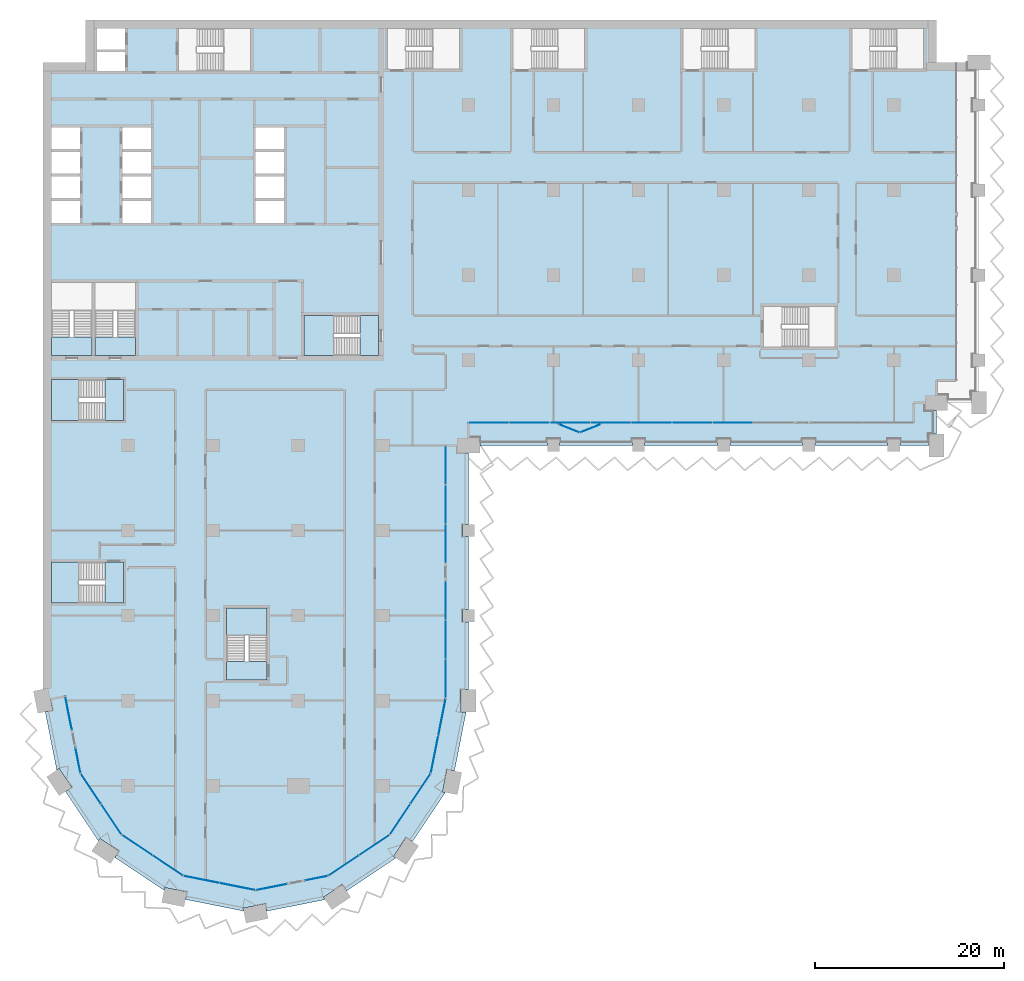
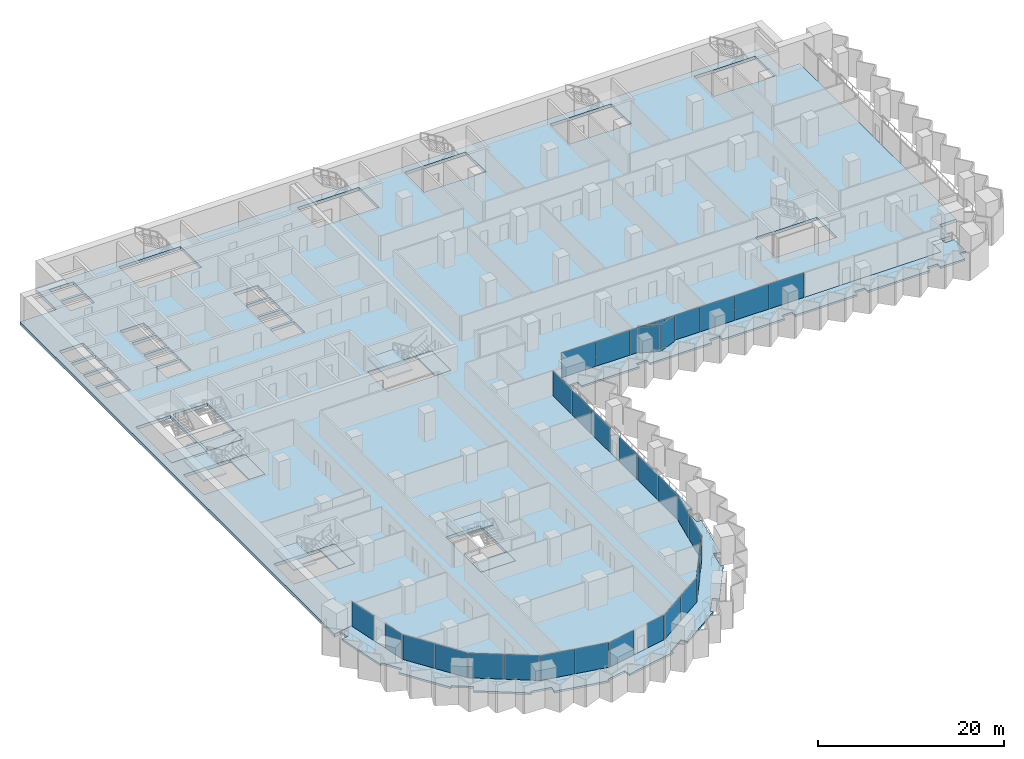
# One storey, part 8 of 28: 31 plates, 13 slabs, 19 elements without a shape of their own.
"""IFC4 building model written with IfcOpenShell, lengths in metres."""

import ifcopenshell
import ifcopenshell.guid

model = None  # the IFC model being written
_history = None  # IfcOwnerHistory: only IFC2X3 demands one
_inside = {}  # id of a spatial element -> (the spatial element, [elements in it])
_under = {}  # id of a project, library or spatial element -> (it, [spatial elements below it])
_declared = {}  # id of a project -> (the project, [libraries it declares])
_typed = {}  # id of a type object -> (the type object, [elements of that type])
_made_of = {}  # id of a material, layer set ... -> (it, [elements and type objects made of it])


def new_model(schema):
    """Start an empty IFC model of exactly this schema.

    Asked for "IFC4X3", IfcOpenShell would pick the latest addendum, in which some entities
    have other attributes; the version numbers below select the first issue.
    IFC2X3 requires an IfcOwnerHistory on every rooted entity: one is made here for all.
    """
    global model, _history
    if schema == "IFC4X3":
        model = ifcopenshell.file(schema_version=(4, 3, 0, 0))
    else:
        model = ifcopenshell.file(schema=schema)
    _inside.clear()
    _under.clear()
    _declared.clear()
    _typed.clear()
    _made_of.clear()
    _history = None
    if model.schema == "IFC2X3":
        org = make("IfcOrganization", Name="unknown")
        user = make(
            "IfcPersonAndOrganization",
            ThePerson=make("IfcPerson", FamilyName="unknown"),
            TheOrganization=org,
        )
        app = make(
            "IfcApplication",
            ApplicationDeveloper=org,
            Version="unknown",
            ApplicationFullName="unknown",
            ApplicationIdentifier="unknown",
        )
        _history = make(
            "IfcOwnerHistory",
            OwningUser=user,
            OwningApplication=app,
            ChangeAction="ADDED",
            CreationDate=0,
        )
    return model


def make(cls, **values):
    """One entity of the class cls with the attributes given. An attribute that is None is left unset."""
    return model.create_entity(
        cls, **{name: value for name, value in values.items() if value is not None}
    )


def rooted(cls, **values):
    """An entity with a GlobalId (a new one), such as an element, a storey or a relation."""
    return make(cls, GlobalId=ifcopenshell.guid.new(), OwnerHistory=_history, **values)


def si_unit(unit_type, name, prefix=None):
    """IfcSIUnit, for example si_unit("LENGTHUNIT", "METRE", prefix="MILLI")."""
    return make("IfcSIUnit", UnitType=unit_type, Prefix=prefix, Name=name)


def assignment(units):
    """IfcUnitAssignment: the units of a project."""
    return None if units is None else make("IfcUnitAssignment", Units=units)


def point(xyz):
    """IfcCartesianPoint."""
    return None if xyz is None else make("IfcCartesianPoint", Coordinates=xyz)


def direction(xyz):
    """IfcDirection."""
    return None if xyz is None else make("IfcDirection", DirectionRatios=xyz)


def frame(location, z_axis=None, x_axis=None):
    """IfcAxis2Placement3D, a coordinate frame: its origin and axes. An axis left out is left unset."""
    return make(
        "IfcAxis2Placement3D",
        Location=point(location),
        Axis=direction(z_axis),
        RefDirection=direction(x_axis),
    )


def frame_2d(location, x_axis=None):
    """IfcAxis2Placement2D, a coordinate frame in the plane: its origin and x axis."""
    return make(
        "IfcAxis2Placement2D", Location=point(location), RefDirection=direction(x_axis)
    )


def origin():
    """The frame at (0, 0, 0) with its axes left unset."""
    return frame((0.0, 0.0, 0.0))


def origin_2d():
    """The frame at (0, 0) in the plane with its x axis left unset."""
    return frame_2d((0.0, 0.0))


def place(relative_to, where):
    """IfcLocalPlacement: puts the frame where relative to a parent placement (None: the world)."""
    return make(
        "IfcLocalPlacement", PlacementRelTo=relative_to, RelativePlacement=where
    )


def context(
    kind, dimensions, precision=None, world=None, true_north=None, identifier=None
):
    """IfcGeometricRepresentationContext, for example the 3D "Model" context."""
    return make(
        "IfcGeometricRepresentationContext",
        ContextIdentifier=identifier,
        ContextType=kind,
        CoordinateSpaceDimension=dimensions,
        Precision=precision,
        WorldCoordinateSystem=world,
        TrueNorth=true_north,
    )


def subcontext(parent, identifier, kind, view, scale=None):
    """IfcGeometricRepresentationSubContext, for example "Body" below "Model"."""
    return make(
        "IfcGeometricRepresentationSubContext",
        ContextIdentifier=identifier,
        ContextType=kind,
        ParentContext=parent,
        TargetScale=scale,
        TargetView=view,
    )


def project(units=None, contexts=None):
    """IfcProject with its units and contexts."""
    return rooted(
        "IfcProject",
        Name="project",
        RepresentationContexts=contexts,
        UnitsInContext=assignment(units),
    )


def spatial(cls, under=None, at=None, **own):
    """A site, building, storey or space (cls), placed at a placement, below another one or the project."""
    s = rooted(cls, ObjectPlacement=at, **own)
    if under is not None:
        _under.setdefault(under.id(), (under, []))[1].append(s)
    return s


def polyline(points):
    """IfcPolyline through the points."""
    return make("IfcPolyline", Points=[point(p) for p in points])


def profile(cls, at=None, kind="AREA", **sizes):
    """A parametric profile (cls). Its sizes go by their IFC names, for example OverallWidth=200.0."""
    return make(cls, ProfileType=kind, Position=at, **sizes)


def rectangle(**sizes):
    """IfcRectangleProfileDef."""
    return profile("IfcRectangleProfileDef", **sizes)


def outline(outer, holes=None, kind="AREA"):
    """IfcArbitraryClosedProfileDef: a profile drawn as a closed curve; with holes, ...WithVoids."""
    if holes is None:
        return make("IfcArbitraryClosedProfileDef", ProfileType=kind, OuterCurve=outer)
    return make(
        "IfcArbitraryProfileDefWithVoids",
        ProfileType=kind,
        OuterCurve=outer,
        InnerCurves=holes,
    )


def extrude(swept, where, along, depth):
    """IfcExtrudedAreaSolid: the profile swept, set in the frame where, extruded along a direction by depth."""
    return make(
        "IfcExtrudedAreaSolid",
        SweptArea=swept,
        Position=where,
        ExtrudedDirection=direction(along),
        Depth=depth,
    )


def shape(context_of_items, identifier, shape_type, items):
    """IfcShapeRepresentation: the items that make up one representation, for example the "Body"."""
    return make(
        "IfcShapeRepresentation",
        ContextOfItems=context_of_items,
        RepresentationIdentifier=identifier,
        RepresentationType=shape_type,
        Items=items,
    )


def material(Name=None, Category=None):
    """IfcMaterial."""
    return make("IfcMaterial", Name=Name, Category=Category)


def layer(
    of_material, thickness, ventilated=None, Name=None, Category=None, Priority=None
):
    """IfcMaterialLayer: one layer of a wall or slab, of a material (None: an air gap)."""
    return make(
        "IfcMaterialLayer",
        Material=of_material,
        LayerThickness=thickness,
        IsVentilated=ventilated,
        Name=Name,
        Category=Category,
        Priority=Priority,
    )


def layer_set(layers, Name=None):
    """IfcMaterialLayerSet."""
    return make("IfcMaterialLayerSet", MaterialLayers=layers, LayerSetName=Name)


def made_of(thing, what):
    """Note that an element or type object is made of a material, layer set ...; save() writes the relation."""
    if what is not None:
        _made_of.setdefault(what.id(), (what, []))[1].append(thing)
    return thing


def type_object(cls, material=None, **own):
    """A type object (cls), such as IfcWallType, which elements share."""
    return made_of(rooted(cls, **own), material)


def element(
    cls,
    number,
    at=None,
    inside=None,
    cuts=None,
    type_object=None,
    material=None,
    context=None,
    identifier="Body",
    shape_type=None,
    held_by="IfcProductDefinitionShape",
    body=None,
    shapes=None,
    **own,
):
    """One element of the class cls, such as IfcWall. Its Tag is "e" and its number.

    at: its placement. inside: the storey or other place that contains it. cuts: it is an
    opening in that element (IfcRelVoidsElement). A single representation is given by context,
    identifier, shape_type and body (its items); several are given by shapes. held_by: the class
    of the entity that holds the representations. save() writes the other relations.
    """
    e = rooted(cls, Tag="e%d" % number, ObjectPlacement=at, **own)
    if body is not None:
        shapes = [shape(context, identifier, shape_type, body)]
    if shapes is not None:
        e.Representation = make(held_by, Representations=shapes)
    if inside is not None:
        _inside.setdefault(inside.id(), (inside, []))[1].append(e)
    if cuts is not None:
        rooted(
            "IfcRelVoidsElement", RelatingBuildingElement=cuts, RelatedOpeningElement=e
        )
    if type_object is not None:
        _typed.setdefault(type_object.id(), (type_object, []))[1].append(e)
    return made_of(e, material)


def aggregate(whole, parts):
    """IfcRelAggregates: a whole, such as a stair, and the parts it consists of."""
    return rooted("IfcRelAggregates", RelatingObject=whole, RelatedObjects=parts)


def save(model, path):
    """Write the relations noted so far, then the file.

    IfcRelAggregates (storeys below a building ...), IfcRelContainedInSpatialStructure (elements
    in a storey), IfcRelDefinesByType, IfcRelAssociatesMaterial and IfcRelDeclares: one each for
    every whole, place, type object, material and project.
    """
    for whole, parts in _under.values():
        aggregate(whole, parts)
    for where, things in _inside.values():
        rooted(
            "IfcRelContainedInSpatialStructure",
            RelatedElements=things,
            RelatingStructure=where,
        )
    for kind, things in _typed.values():
        rooted("IfcRelDefinesByType", RelatedObjects=things, RelatingType=kind)
    for what, things in _made_of.values():
        rooted("IfcRelAssociatesMaterial", RelatedObjects=things, RelatingMaterial=what)
    for by, libraries in _declared.values():
        rooted("IfcRelDeclares", RelatingContext=by, RelatedDefinitions=libraries)
    model.write(path)


model = new_model("IFC4")

# Units and contexts
model_context = context("Model", 3, precision=1e-05, world=origin(), true_north=direction((0.0, 1.0)))
body_context = subcontext(model_context, "Body", "Model", "MODEL_VIEW")
ifc_project = project(units=[si_unit("LENGTHUNIT", "METRE"), si_unit("AREAUNIT", "SQUARE_METRE"), si_unit("VOLUMEUNIT", "CUBIC_METRE"), si_unit("PLANEANGLEUNIT", "RADIAN"), si_unit("MASSUNIT", "GRAM", prefix="KILO")], contexts=[model_context])

# Site, building, storey
site_placement = place(None, origin())
site = spatial("IfcSite", under=ifc_project, at=site_placement, CompositionType="ELEMENT")
building_placement = place(site_placement, origin())
building = spatial("IfcBuilding", under=site, at=building_placement, Name="Hunhe Ridgeline Campus", CompositionType="ELEMENT")
storey_placement = place(building_placement, frame((0.0, 0.0, 35.800048828125)))
storey = spatial("IfcBuildingStorey", under=building, at=storey_placement, Name="L07", CompositionType="ELEMENT", Elevation=35.800048828125)

# Curtain wall, plate
ifc_material_1 = material(Name="Aluminium 6063", Category="aluminium")
curtain_wall_type_1 = type_object("IfcCurtainWallType", Name="Curtain wall CW-5", PredefinedType="NOTDEFINED", material=ifc_material_1)
curtain_wall_1_placement = place(storey_placement, origin())
curtain_wall_1 = element("IfcCurtainWall", 1, at=curtain_wall_1_placement, inside=storey, type_object=curtain_wall_type_1, Name="Curtain wall 01", PredefinedType="NOTDEFINED")
ifc_material_2 = material(Name="Low-e laminated glass", Category="glass")
ifc_layer_1 = layer(ifc_material_2, 0.028076171875)
ifc_layer_set_1 = layer_set([ifc_layer_1], Name="Curtain wall glass panel 28 low-e laminated")
plate_type = type_object("IfcPlateType", Name="Curtain wall glass panel 28 low-e laminated", PredefinedType="CURTAIN_PANEL", material=ifc_layer_set_1)
plate_1_placement = place(storey_placement, frame((2.7158203125, 25.65380859375, 0.0), z_axis=(0.0, 0.0, 1.0), x_axis=(0.195095326561, -0.980784284924, 0.0)))
plate_1 = element("IfcPlate", 2, at=plate_1_placement, type_object=plate_type, Name="CW-5 panel 1", PredefinedType="CURTAIN_PANEL", context=body_context, shape_type="SweptSolid", body=[
    extrude(rectangle(XDim=3.560791015625, YDim=0.028076171875, at=origin_2d()), origin(), (0.0, 0.0, 1.0), 3.22998046875),
])
aggregate(curtain_wall_1, [plate_1])

curtain_wall_2_placement = place(storey_placement, origin())
curtain_wall_2 = element("IfcCurtainWall", 3, at=curtain_wall_2_placement, inside=storey, type_object=curtain_wall_type_1, Name="Curtain wall 02", PredefinedType="NOTDEFINED")
plate_2_placement = place(storey_placement, frame((3.701171875, 20.699951171875, 0.0), z_axis=(0.0, 0.0, 1.0), x_axis=(0.195095265587, -0.980784297053, 0.0)))
plate_2 = element("IfcPlate", 4, at=plate_2_placement, type_object=plate_type, Name="CW-5 panel 1", PredefinedType="CURTAIN_PANEL", context=body_context, shape_type="SweptSolid", body=[
    extrude(rectangle(XDim=2.660888671875, YDim=0.028076171875, at=origin_2d()), origin(), (0.0, 0.0, 1.0), 3.22998046875),
])
aggregate(curtain_wall_2, [plate_2])

# Curtain wall, plates
curtain_wall_3_placement = place(storey_placement, origin())
curtain_wall_3 = element("IfcCurtainWall", 5, at=curtain_wall_3_placement, inside=storey, type_object=curtain_wall_type_1, Name="Curtain wall 03", PredefinedType="NOTDEFINED")
plate_3_placement = place(storey_placement, frame((5.07080078125, 17.685546875, 0.0), z_axis=(0.0, 0.0, 1.0), x_axis=(0.555570274596, -0.831469584522, 0.0)))
plate_3 = element("IfcPlate", 6, at=plate_3_placement, type_object=plate_type, Name="CW-5 panel 1", PredefinedType="CURTAIN_PANEL", context=body_context, shape_type="SweptSolid", body=[
    extrude(rectangle(XDim=3.806884765625, YDim=0.028076171875, at=origin_2d()), origin(), (0.0, 0.0, 1.0), 3.22998046875),
])
plate_4_placement = place(storey_placement, frame((7.224609375, 14.4619140625, 0.0), z_axis=(0.0, 0.0, 1.0), x_axis=(0.555570274596, -0.831469584522, 0.0)))
plate_4 = element("IfcPlate", 7, at=plate_4_placement, type_object=plate_type, Name="CW-5 panel 2", PredefinedType="CURTAIN_PANEL", context=body_context, shape_type="SweptSolid", body=[
    extrude(rectangle(XDim=3.806884765625, YDim=0.028076171875, at=origin_2d()), origin(), (0.0, 0.0, 1.0), 3.22998046875),
])
aggregate(curtain_wall_3, [plate_3, plate_4])

curtain_wall_4_placement = place(storey_placement, origin())
curtain_wall_4 = element("IfcCurtainWall", 8, at=curtain_wall_4_placement, inside=storey, type_object=curtain_wall_type_1, Name="Curtain wall 04", PredefinedType="NOTDEFINED")
plate_5_placement = place(storey_placement, frame((9.9619140625, 11.724609375, 0.0), z_axis=(0.0, 0.0, 1.0), x_axis=(0.831469584522, -0.555570274596, 0.0)))
plate_5 = element("IfcPlate", 9, at=plate_5_placement, type_object=plate_type, Name="CW-5 panel 1", PredefinedType="CURTAIN_PANEL", context=body_context, shape_type="SweptSolid", body=[
    extrude(rectangle(XDim=3.806884765625, YDim=0.028076171875, at=origin_2d()), origin(), (0.0, 0.0, 1.0), 3.22998046875),
])
plate_6_placement = place(storey_placement, frame((13.185546875, 9.57080078125, 0.0), z_axis=(0.0, 0.0, 1.0), x_axis=(0.831469584522, -0.555570274596, 0.0)))
plate_6 = element("IfcPlate", 10, at=plate_6_placement, type_object=plate_type, Name="CW-5 panel 2", PredefinedType="CURTAIN_PANEL", context=body_context, shape_type="SweptSolid", body=[
    extrude(rectangle(XDim=3.806884765625, YDim=0.028076171875, at=origin_2d()), origin(), (0.0, 0.0, 1.0), 3.22998046875),
])
aggregate(curtain_wall_4, [plate_5, plate_6])

curtain_wall_5_placement = place(storey_placement, origin())
curtain_wall_5 = element("IfcCurtainWall", 11, at=curtain_wall_5_placement, inside=storey, type_object=curtain_wall_type_1, Name="Curtain wall 05", PredefinedType="NOTDEFINED")
plate_7_placement = place(storey_placement, frame((16.761962890625, 8.08935546875, 0.0), z_axis=(0.0, 0.0, 1.0), x_axis=(0.980785275326, -0.195090347539, 0.0)))
plate_7 = element("IfcPlate", 12, at=plate_7_placement, type_object=plate_type, Name="CW-5 panel 1", PredefinedType="CURTAIN_PANEL", context=body_context, shape_type="SweptSolid", body=[
    extrude(rectangle(XDim=3.806884765625, YDim=0.028076171875, at=origin_2d()), origin(), (0.0, 0.0, 1.0), 3.22998046875),
])
plate_8_placement = place(storey_placement, frame((20.564453125, 7.3330078125, 0.0), z_axis=(0.0, 0.0, 1.0), x_axis=(0.980785275326, -0.195090347539, 0.0)))
plate_8 = element("IfcPlate", 13, at=plate_8_placement, type_object=plate_type, Name="CW-5 panel 2", PredefinedType="CURTAIN_PANEL", context=body_context, shape_type="SweptSolid", body=[
    extrude(rectangle(XDim=3.806884765625, YDim=0.028076171875, at=origin_2d()), origin(), (0.0, 0.0, 1.0), 3.22998046875),
])
aggregate(curtain_wall_5, [plate_7, plate_8])

# Curtain wall, plate
curtain_wall_6_placement = place(storey_placement, origin())
curtain_wall_6 = element("IfcCurtainWall", 14, at=curtain_wall_6_placement, inside=storey, type_object=curtain_wall_type_1, Name="Curtain wall 06", PredefinedType="NOTDEFINED")
plate_9_placement = place(storey_placement, frame((24.19775390625, 7.28564453125, 0.0), z_axis=(0.0, 0.0, 1.0), x_axis=(0.980785270791, 0.19509037034, 0.0)))
plate_9 = element("IfcPlate", 15, at=plate_9_placement, type_object=plate_type, Name="CW-5 panel 1", PredefinedType="CURTAIN_PANEL", context=body_context, shape_type="SweptSolid", body=[
    extrude(rectangle(XDim=3.322021484375, YDim=0.028076171875, at=origin_2d()), origin(), (0.0, 0.0, 1.0), 3.22998046875),
])
aggregate(curtain_wall_6, [plate_9])

curtain_wall_7_placement = place(storey_placement, origin())
curtain_wall_7 = element("IfcCurtainWall", 16, at=curtain_wall_7_placement, inside=storey, type_object=curtain_wall_type_1, Name="Curtain wall 07", PredefinedType="NOTDEFINED")
plate_10_placement = place(storey_placement, frame((28.917236328125, 8.224609375, 0.0), z_axis=(0.0, 0.0, 1.0), x_axis=(0.980785242091, 0.195090514627, 0.0)))
plate_10 = element("IfcPlate", 17, at=plate_10_placement, type_object=plate_type, Name="CW-5 panel 1", PredefinedType="CURTAIN_PANEL", context=body_context, shape_type="SweptSolid", body=[
    extrude(rectangle(XDim=2.421875, YDim=0.028076171875, at=origin_2d()), origin(), (0.0, 0.0, 1.0), 3.22998046875),
])
aggregate(curtain_wall_7, [plate_10])

# Curtain wall, plates
curtain_wall_8_placement = place(storey_placement, origin())
curtain_wall_8 = element("IfcCurtainWall", 18, at=curtain_wall_8_placement, inside=storey, type_object=curtain_wall_type_1, Name="Curtain wall 08", PredefinedType="NOTDEFINED")
plate_11_placement = place(storey_placement, frame((31.814453125, 9.57080078125, 0.0), z_axis=(0.0, 0.0, 1.0), x_axis=(0.831469584522, 0.555570274596, 0.0)))
plate_11 = element("IfcPlate", 19, at=plate_11_placement, type_object=plate_type, Name="CW-5 panel 1", PredefinedType="CURTAIN_PANEL", context=body_context, shape_type="SweptSolid", body=[
    extrude(rectangle(XDim=3.806884765625, YDim=0.028076171875, at=origin_2d()), origin(), (0.0, 0.0, 1.0), 3.22998046875),
])
plate_12_placement = place(storey_placement, frame((35.0380859375, 11.724609375, 0.0), z_axis=(0.0, 0.0, 1.0), x_axis=(0.831469584522, 0.555570274596, 0.0)))
plate_12 = element("IfcPlate", 20, at=plate_12_placement, type_object=plate_type, Name="CW-5 panel 2", PredefinedType="CURTAIN_PANEL", context=body_context, shape_type="SweptSolid", body=[
    extrude(rectangle(XDim=3.806884765625, YDim=0.028076171875, at=origin_2d()), origin(), (0.0, 0.0, 1.0), 3.22998046875),
])
aggregate(curtain_wall_8, [plate_11, plate_12])

curtain_wall_9_placement = place(storey_placement, origin())
curtain_wall_9 = element("IfcCurtainWall", 21, at=curtain_wall_9_placement, inside=storey, type_object=curtain_wall_type_1, Name="Curtain wall 09", PredefinedType="NOTDEFINED")
plate_13_placement = place(storey_placement, frame((37.775390625, 14.4619140625, 0.0), z_axis=(0.0, 0.0, 1.0), x_axis=(0.555570274596, 0.831469584522, 0.0)))
plate_13 = element("IfcPlate", 22, at=plate_13_placement, type_object=plate_type, Name="CW-5 panel 1", PredefinedType="CURTAIN_PANEL", context=body_context, shape_type="SweptSolid", body=[
    extrude(rectangle(XDim=3.806884765625, YDim=0.028076171875, at=origin_2d()), origin(), (0.0, 0.0, 1.0), 3.22998046875),
])
plate_14_placement = place(storey_placement, frame((39.92919921875, 17.685546875, 0.0), z_axis=(0.0, 0.0, 1.0), x_axis=(0.555570274596, 0.831469584522, 0.0)))
plate_14 = element("IfcPlate", 23, at=plate_14_placement, type_object=plate_type, Name="CW-5 panel 2", PredefinedType="CURTAIN_PANEL", context=body_context, shape_type="SweptSolid", body=[
    extrude(rectangle(XDim=3.806884765625, YDim=0.028076171875, at=origin_2d()), origin(), (0.0, 0.0, 1.0), 3.22998046875),
])
aggregate(curtain_wall_9, [plate_13, plate_14])

curtain_wall_10_placement = place(storey_placement, origin())
curtain_wall_10 = element("IfcCurtainWall", 24, at=curtain_wall_10_placement, inside=storey, type_object=curtain_wall_type_1, Name="Curtain wall 10", PredefinedType="NOTDEFINED")
plate_15_placement = place(storey_placement, frame((41.42236328125, 21.321044921875, 0.0), z_axis=(0.0, 0.0, 1.0), x_axis=(0.195090299215, 0.980785284939, 0.0)))
plate_15 = element("IfcPlate", 25, at=plate_15_placement, type_object=plate_type, Name="CW-5 panel 1", PredefinedType="CURTAIN_PANEL", context=body_context, shape_type="SweptSolid", body=[
    extrude(rectangle(XDim=3.927490234375, YDim=0.028076171875, at=origin_2d()), origin(), (0.0, 0.0, 1.0), 3.22998046875),
])
plate_16_placement = place(storey_placement, frame((42.2021484375, 25.24169921875, 0.0), z_axis=(0.0, 0.0, 1.0), x_axis=(0.195090299215, 0.980785284939, 0.0)))
plate_16 = element("IfcPlate", 26, at=plate_16_placement, type_object=plate_type, Name="CW-5 panel 2", PredefinedType="CURTAIN_PANEL", context=body_context, shape_type="SweptSolid", body=[
    extrude(rectangle(XDim=3.927490234375, YDim=0.028076171875, at=origin_2d()), origin(), (0.0, 0.0, 1.0), 3.22998046875),
])
aggregate(curtain_wall_10, [plate_15, plate_16])

curtain_wall_type_2 = type_object("IfcCurtainWallType", Name="Curtain wall CW-1", PredefinedType="NOTDEFINED", material=ifc_material_1)
curtain_wall_11_placement = place(storey_placement, origin())
curtain_wall_11 = element("IfcCurtainWall", 27, at=curtain_wall_11_placement, inside=storey, type_object=curtain_wall_type_2, Name="Curtain wall 11", PredefinedType="NOTDEFINED")
plate_17_placement = place(storey_placement, frame((42.59912109375, 29.331787109375, 0.0), z_axis=(0.0, 0.0, 1.0), x_axis=(1.60239e-07, 1.0, 0.0)))
plate_17 = element("IfcPlate", 28, at=plate_17_placement, type_object=plate_type, Name="CW-1 panel 1", PredefinedType="CURTAIN_PANEL", context=body_context, shape_type="SweptSolid", body=[
    extrude(rectangle(XDim=4.070556640625, YDim=0.028076171875, at=origin_2d()), origin(), (0.0, 0.0, 1.0), 3.239990234375),
])
plate_18_placement = place(storey_placement, frame((42.59912109375, 33.477294921875, 0.0), z_axis=(0.0, 0.0, 1.0), x_axis=(1.60239e-07, 1.0, 0.0)))
plate_18 = element("IfcPlate", 29, at=plate_18_placement, type_object=plate_type, Name="CW-1 panel 2", PredefinedType="CURTAIN_PANEL", context=body_context, shape_type="SweptSolid", body=[
    extrude(rectangle(XDim=4.1005859375, YDim=0.028076171875, at=origin_2d()), origin(), (0.0, 0.0, 1.0), 3.239990234375),
])
plate_19_placement = place(storey_placement, frame((42.59912109375, 37.623046875, 0.0), z_axis=(0.0, 0.0, 1.0), x_axis=(1.60239e-07, 1.0, 0.0)))
plate_19 = element("IfcPlate", 30, at=plate_19_placement, type_object=plate_type, Name="CW-1 panel 3", PredefinedType="CURTAIN_PANEL", context=body_context, shape_type="SweptSolid", body=[
    extrude(rectangle(XDim=4.070556640625, YDim=0.028076171875, at=origin_2d()), origin(), (0.0, 0.0, 1.0), 3.239990234375),
])
aggregate(curtain_wall_11, [plate_17, plate_18, plate_19])

curtain_wall_12_placement = place(storey_placement, origin())
curtain_wall_12 = element("IfcCurtainWall", 31, at=curtain_wall_12_placement, inside=storey, type_object=curtain_wall_type_2, Name="Curtain wall 12", PredefinedType="NOTDEFINED")
plate_20_placement = place(storey_placement, frame((42.59912109375, 43.613525390625, 0.0), z_axis=(0.0, 0.0, 1.0), x_axis=(1.60239e-07, 1.0, 0.0)))
plate_20 = element("IfcPlate", 32, at=plate_20_placement, type_object=plate_type, Name="CW-1 panel 1", PredefinedType="CURTAIN_PANEL", context=body_context, shape_type="SweptSolid", body=[
    extrude(rectangle(XDim=4.070556640625, YDim=0.028076171875, at=origin_2d()), origin(), (0.0, 0.0, 1.0), 3.239990234375),
])
plate_21_placement = place(storey_placement, frame((42.59912109375, 47.75927734375, 0.0), z_axis=(0.0, 0.0, 1.0), x_axis=(1.60239e-07, 1.0, 0.0)))
plate_21 = element("IfcPlate", 33, at=plate_21_placement, type_object=plate_type, Name="CW-1 panel 2", PredefinedType="CURTAIN_PANEL", context=body_context, shape_type="SweptSolid", body=[
    extrude(rectangle(XDim=4.1005859375, YDim=0.028076171875, at=origin_2d()), origin(), (0.0, 0.0, 1.0), 3.239990234375),
])
plate_22_placement = place(storey_placement, frame((42.59912109375, 51.90478515625, 0.0), z_axis=(0.0, 0.0, 1.0), x_axis=(1.60239e-07, 1.0, 0.0)))
plate_22 = element("IfcPlate", 34, at=plate_22_placement, type_object=plate_type, Name="CW-1 panel 3", PredefinedType="CURTAIN_PANEL", context=body_context, shape_type="SweptSolid", body=[
    extrude(rectangle(XDim=4.070556640625, YDim=0.028076171875, at=origin_2d()), origin(), (0.0, 0.0, 1.0), 3.239990234375),
])
aggregate(curtain_wall_12, [plate_20, plate_21, plate_22])

curtain_wall_13_placement = place(storey_placement, origin())
curtain_wall_13 = element("IfcCurtainWall", 35, at=curtain_wall_13_placement, inside=storey, type_object=curtain_wall_type_2, Name="Curtain wall 13", PredefinedType="NOTDEFINED")
plate_23_placement = place(storey_placement, frame((47.166015625, 56.40087890625, 0.0), z_axis=(0.0, 0.0, 1.0), x_axis=(0.999999999994, 3.602063e-06, 0.0)))
plate_23 = element("IfcPlate", 36, at=plate_23_placement, type_object=plate_type, Name="CW-1 panel 1", PredefinedType="CURTAIN_PANEL", context=body_context, shape_type="SweptSolid", body=[
    extrude(rectangle(XDim=4.213134765625, YDim=0.028076171875, at=origin_2d()), origin(), (0.0, 0.0, 1.0), 3.239990234375),
])
plate_24_placement = place(storey_placement, frame((51.4541015625, 56.40087890625, 0.0), z_axis=(0.0, 0.0, 1.0), x_axis=(0.999999999994, 3.602063e-06, 0.0)))
plate_24 = element("IfcPlate", 37, at=plate_24_placement, type_object=plate_type, Name="CW-1 panel 2", PredefinedType="CURTAIN_PANEL", context=body_context, shape_type="SweptSolid", body=[
    extrude(rectangle(XDim=4.2431640625, YDim=0.028076171875, at=origin_2d()), origin(), (0.0, 0.0, 1.0), 3.239990234375),
])
plate_25_placement = place(storey_placement, frame((55.757080078125, 56.40087890625, 0.0), z_axis=(0.0, 0.0, 1.0), x_axis=(0.999999999994, 3.602063e-06, 0.0)))
plate_25 = element("IfcPlate", 38, at=plate_25_placement, type_object=plate_type, Name="CW-1 panel 3", PredefinedType="CURTAIN_PANEL", context=body_context, shape_type="SweptSolid", body=[
    extrude(rectangle(XDim=4.2431640625, YDim=0.028076171875, at=origin_2d()), origin(), (0.0, 0.0, 1.0), 3.239990234375),
])
plate_26_placement = place(storey_placement, frame((60.060302734375, 56.40087890625, 0.0), z_axis=(0.0, 0.0, 1.0), x_axis=(0.999999999994, 3.602063e-06, 0.0)))
plate_26 = element("IfcPlate", 39, at=plate_26_placement, type_object=plate_type, Name="CW-1 panel 4", PredefinedType="CURTAIN_PANEL", context=body_context, shape_type="SweptSolid", body=[
    extrude(rectangle(XDim=4.2431640625, YDim=0.028076171875, at=origin_2d()), origin(), (0.0, 0.0, 1.0), 3.239990234375),
])
plate_27_placement = place(storey_placement, frame((64.36328125, 56.40087890625, 0.0), z_axis=(0.0, 0.0, 1.0), x_axis=(0.999999999994, 3.602063e-06, 0.0)))
plate_27 = element("IfcPlate", 40, at=plate_27_placement, type_object=plate_type, Name="CW-1 panel 5", PredefinedType="CURTAIN_PANEL", context=body_context, shape_type="SweptSolid", body=[
    extrude(rectangle(XDim=4.2431640625, YDim=0.028076171875, at=origin_2d()), origin(), (0.0, 0.0, 1.0), 3.239990234375),
])
plate_28_placement = place(storey_placement, frame((68.66650390625, 56.40087890625, 0.0), z_axis=(0.0, 0.0, 1.0), x_axis=(0.999999999994, 3.602063e-06, 0.0)))
plate_28 = element("IfcPlate", 41, at=plate_28_placement, type_object=plate_type, Name="CW-1 panel 6", PredefinedType="CURTAIN_PANEL", context=body_context, shape_type="SweptSolid", body=[
    extrude(rectangle(XDim=4.2431640625, YDim=0.028076171875, at=origin_2d()), origin(), (0.0, 0.0, 1.0), 3.239990234375),
])
plate_29_placement = place(storey_placement, frame((72.969482421875, 56.40087890625, 0.0), z_axis=(0.0, 0.0, 1.0), x_axis=(0.999999999994, 3.602063e-06, 0.0)))
plate_29 = element("IfcPlate", 42, at=plate_29_placement, type_object=plate_type, Name="CW-1 panel 7", PredefinedType="CURTAIN_PANEL", context=body_context, shape_type="SweptSolid", body=[
    extrude(rectangle(XDim=4.2431640625, YDim=0.028076171875, at=origin_2d()), origin(), (0.0, 0.0, 1.0), 3.239990234375),
])
aggregate(curtain_wall_13, [plate_23, plate_24, plate_25, plate_26, plate_27, plate_28, plate_29])

# Curtain wall, plate
curtain_wall_type_3 = type_object("IfcCurtainWallType", Name="Curtain wall CW-2", PredefinedType="NOTDEFINED", material=ifc_material_1)
curtain_wall_14_placement = place(storey_placement, origin())
curtain_wall_14 = element("IfcCurtainWall", 43, at=curtain_wall_14_placement, inside=storey, type_object=curtain_wall_type_3, Name="Curtain wall B01a", PredefinedType="NOTDEFINED")
plate_30_placement = place(storey_placement, frame((55.6494140625, 55.80078125, 0.0), z_axis=(0.0, 0.0, 1.0), x_axis=(0.928477999997, -0.371387403557, 0.0)))
plate_30 = element("IfcPlate", 44, at=plate_30_placement, type_object=plate_type, Name="CW-2 panel 1", PredefinedType="CURTAIN_PANEL", context=body_context, shape_type="SweptSolid", body=[
    extrude(rectangle(XDim=2.30322265625, YDim=0.028076171875, at=origin_2d()), origin(), (0.0, 0.0, 1.0), 3.389892578125),
])
aggregate(curtain_wall_14, [plate_30])

curtain_wall_15_placement = place(storey_placement, origin())
curtain_wall_15 = element("IfcCurtainWall", 45, at=curtain_wall_15_placement, inside=storey, type_object=curtain_wall_type_3, Name="Curtain wall B01b", PredefinedType="NOTDEFINED")
plate_31_placement = place(storey_placement, frame((57.8994140625, 55.80078125, 0.0), z_axis=(0.0, 0.0, 1.0), x_axis=(0.928475381766, 0.371393949135, 0.0)))
plate_31 = element("IfcPlate", 46, at=plate_31_placement, type_object=plate_type, Name="CW-2 panel 1", PredefinedType="CURTAIN_PANEL", context=body_context, shape_type="SweptSolid", body=[
    extrude(rectangle(XDim=2.30322265625, YDim=0.028076171875, at=origin_2d()), origin(), (0.0, 0.0, 1.0), 3.389892578125),
])
aggregate(curtain_wall_15, [plate_31])

# Slabs
ifc_material_3 = material(Name="Concrete C40", Category="concrete")
ifc_layer_2 = layer(ifc_material_3, 0.39990234375)
ifc_layer_set_2 = layer_set([ifc_layer_2], Name="Floor slab 400 Concrete C40")
slab_type_1 = type_object("IfcSlabType", Name="Floor slab 400 Concrete C40", PredefinedType="FLOOR", material=ifc_layer_set_2)
slab_1_placement = place(storey_placement, frame((0.0, 0.0, -0.400146484375)))
element("IfcSlab", 47, at=slab_1_placement, inside=storey, type_object=slab_type_1, Name="Floor slab L07 1", PredefinedType="FLOOR", context=body_context, shape_type="SweptSolid", body=[
    extrude(outline(polyline([(4.5, 94.5), (0.0, 94.5), (0.0, 27.0009765625), (2.354736328125, 27.46875), (3.974365234375, 19.326416015625), (8.321044921875, 12.821044921875), (14.826416015625, 8.474365234375), (22.5, 6.947998046875), (30.173583984375, 8.474365234375), (36.678955078125, 12.821044921875), (41.025634765625, 19.326416015625), (42.59912109375, 27.236572265625), (42.59912109375, 54.0), (44.9990234375, 54.0009765625), (44.99951171875, 56.40087890625), (92.09912109375, 56.40087890625), (92.099365234375, 58.500732421875), (94.4990234375, 58.5009765625), (94.499267578125, 60.900634765625), (96.59912109375, 60.90087890625), (96.59912109375, 94.5), (94.5, 94.5), (94.5, 99.0), (4.5, 99.0), (4.5, 94.5)]), holes=[polyline([(93.14990234375, 93.800048828125), (93.14990234375, 98.10009765625), (85.550048828125, 98.10009765625), (85.550048828125, 93.800048828125), (93.14990234375, 93.800048828125)]), polyline([(76.199951171875, 68.699951171875), (76.199951171875, 64.39990234375), (83.800048828125, 64.39990234375), (83.800048828125, 68.699951171875), (76.199951171875, 68.699951171875)]), polyline([(75.300048828125, 98.10009765625), (67.699951171875, 98.10009765625), (67.699951171875, 93.800048828125), (75.300048828125, 93.800048828125), (75.300048828125, 98.10009765625)]), polyline([(49.699951171875, 98.10009765625), (49.699951171875, 93.800048828125), (57.300048828125, 93.800048828125), (57.300048828125, 98.10009765625), (49.699951171875, 98.10009765625)]), polyline([(36.449951171875, 93.800048828125), (44.050048828125, 93.800048828125), (44.050048828125, 98.10009765625), (36.449951171875, 98.10009765625), (36.449951171875, 93.800048828125)]), polyline([(35.5, 63.5), (35.5, 67.75), (27.60009765625, 67.75), (27.60009765625, 63.5), (35.5, 63.5)]), polyline([(25.5, 80.14990234375), (25.5, 82.449951171875), (22.5, 82.449951171875), (22.5, 80.14990234375), (25.5, 80.14990234375)]), polyline([(25.5, 79.85009765625), (22.5, 79.85009765625), (22.5, 77.550048828125), (25.5, 77.550048828125), (25.5, 79.85009765625)]), polyline([(22.5, 87.64990234375), (22.5, 85.35009765625), (25.5, 85.35009765625), (25.5, 87.64990234375), (22.5, 87.64990234375)]), polyline([(22.5, 82.75), (25.5, 82.75), (25.5, 85.050048828125), (22.5, 85.050048828125), (22.5, 82.75)]), polyline([(23.699951171875, 29.199951171875), (23.699951171875, 36.800048828125), (19.39990234375, 36.800048828125), (19.39990234375, 29.199951171875), (23.699951171875, 29.199951171875)]), polyline([(14.35009765625, 93.60009765625), (21.949951171875, 93.60009765625), (21.949951171875, 98.10009765625), (14.35009765625, 98.10009765625), (14.35009765625, 93.60009765625)]), polyline([(11.39990234375, 79.85009765625), (8.39990234375, 79.85009765625), (8.39990234375, 77.550048828125), (11.39990234375, 77.550048828125), (11.39990234375, 79.85009765625)]), polyline([(11.39990234375, 80.14990234375), (11.39990234375, 82.449951171875), (8.39990234375, 82.449951171875), (8.39990234375, 80.14990234375), (11.39990234375, 80.14990234375)]), polyline([(8.39990234375, 87.64990234375), (8.39990234375, 85.35009765625), (11.39990234375, 85.35009765625), (11.39990234375, 87.64990234375), (8.39990234375, 87.64990234375)]), polyline([(8.39990234375, 82.75), (11.39990234375, 82.75), (11.39990234375, 85.050048828125), (8.39990234375, 85.050048828125), (8.39990234375, 82.75)]), polyline([(9.800048828125, 71.25), (5.5, 71.25), (5.5, 63.5), (9.800048828125, 63.5), (9.800048828125, 71.25)]), polyline([(8.699951171875, 95.89990234375), (8.699951171875, 98.10009765625), (5.699951171875, 98.10009765625), (5.699951171875, 95.89990234375), (8.699951171875, 95.89990234375)]), polyline([(8.699951171875, 95.60009765625), (5.699951171875, 95.60009765625), (5.699951171875, 93.60009765625), (8.699951171875, 93.60009765625), (8.699951171875, 95.60009765625)]), polyline([(0.89990234375, 37.35009765625), (8.5, 37.35009765625), (8.5, 41.64990234375), (0.89990234375, 41.64990234375), (0.89990234375, 37.35009765625)]), polyline([(0.89990234375, 60.949951171875), (0.89990234375, 56.64990234375), (8.5, 56.64990234375), (8.5, 60.949951171875), (0.89990234375, 60.949951171875)]), polyline([(0.89990234375, 71.25), (0.89990234375, 63.5), (5.199951171875, 63.5), (5.199951171875, 71.25), (0.89990234375, 71.25)]), polyline([(3.89990234375, 80.14990234375), (3.89990234375, 82.449951171875), (0.89990234375, 82.449951171875), (0.89990234375, 80.14990234375), (3.89990234375, 80.14990234375)]), polyline([(3.89990234375, 79.85009765625), (0.89990234375, 79.85009765625), (0.89990234375, 77.550048828125), (3.89990234375, 77.550048828125), (3.89990234375, 79.85009765625)]), polyline([(0.89990234375, 87.64990234375), (0.89990234375, 85.35009765625), (3.89990234375, 85.35009765625), (3.89990234375, 87.64990234375), (0.89990234375, 87.64990234375)]), polyline([(0.89990234375, 82.75), (3.89990234375, 82.75), (3.89990234375, 85.050048828125), (0.89990234375, 85.050048828125), (0.89990234375, 82.75)])]), origin(), (0.0, 0.0, 1.0), 0.400146484375),
])
ifc_layer_3 = layer(ifc_material_3, 0.25)
ifc_layer_set_3 = layer_set([ifc_layer_3], Name="Loggia slab 250 Concrete C40")
slab_type_2 = type_object("IfcSlabType", Name="Loggia slab 250 Concrete C40", PredefinedType="FLOOR", material=ifc_layer_set_3)
slab_2_placement = place(storey_placement, frame((0.0, 0.0, -0.25)))
element("IfcSlab", 48, at=slab_2_placement, inside=storey, type_object=slab_type_2, Name="Loggia slab 1", PredefinedType="FLOOR", context=body_context, shape_type="SweptSolid", body=[
    extrude(outline(polyline([(30.173828125, 8.473388671875), (22.5, 6.947021484375), (14.826171875, 8.473388671875), (8.3203125, 12.8203125), (3.973388671875, 19.326171875), (2.35400390625, 27.46826171875), (0.78466796875, 27.156005859375), (1.018798828125, 25.979248046875), (0.234130859375, 25.822998046875), (1.459228515625, 19.66357421875), (1.711181640625, 19.831787109375), (3.044677734375, 17.83642578125), (2.37939453125, 17.391845703125), (5.868408203125, 12.170166015625), (6.036865234375, 12.421875), (8.0322265625, 11.088623046875), (7.587890625, 10.42333984375), (12.8095703125, 6.934326171875), (12.86865234375, 7.2314453125), (15.22265625, 6.76318359375), (15.066650390625, 5.978515625), (21.22607421875, 4.75341796875), (21.1669921875, 5.050537109375), (23.520751953125, 5.518798828125), (23.677001953125, 4.734130859375), (29.83642578125, 5.959228515625), (29.668212890625, 6.211181640625), (31.66357421875, 7.544677734375), (32.108154296875, 6.87939453125), (37.329833984375, 10.368408203125), (37.078125, 10.536865234375), (38.411376953125, 12.5322265625), (39.07666015625, 12.087890625), (42.565673828125, 17.3095703125), (42.2685546875, 17.36865234375), (42.73681640625, 19.72265625), (43.521484375, 19.566650390625), (44.76123046875, 25.800048828125), (44.199951171875, 25.800048828125), (44.199951171875, 28.199951171875), (45.0, 28.199951171875), (45.0, 35.35009765625), (44.35009765625, 35.35009765625), (44.35009765625, 36.64990234375), (45.0, 36.64990234375), (45.0, 44.35009765625), (44.35009765625, 44.35009765625), (44.35009765625, 45.64990234375), (45.0, 45.64990234375), (45.0, 53.199951171875), (43.800048828125, 53.199951171875), (43.800048828125, 54.0), (42.60009765625, 54.0), (42.60009765625, 27.236328125), (41.026611328125, 19.326171875), (36.6796875, 12.8203125), (30.173828125, 8.473388671875)])), origin(), (0.0, 0.0, 1.0), 0.25),
])
slab_3_placement = place(storey_placement, frame((0.0, 0.0, -0.25)))
element("IfcSlab", 49, at=slab_3_placement, inside=storey, type_object=slab_type_2, Name="Loggia slab 2", PredefinedType="FLOOR", context=body_context, shape_type="SweptSolid", body=[
    extrude(outline(polyline([(45.0, 54.800048828125), (46.199951171875, 54.800048828125), (46.199951171875, 54.0), (53.35009765625, 54.0), (53.35009765625, 54.64990234375), (54.64990234375, 54.64990234375), (54.64990234375, 54.0), (62.35009765625, 54.0), (62.35009765625, 54.64990234375), (63.64990234375, 54.64990234375), (63.64990234375, 54.0), (71.35009765625, 54.0), (71.35009765625, 54.64990234375), (72.64990234375, 54.64990234375), (72.64990234375, 54.0), (80.35009765625, 54.0), (80.35009765625, 54.64990234375), (81.64990234375, 54.64990234375), (81.64990234375, 54.0), (89.35009765625, 54.0), (89.35009765625, 54.64990234375), (90.64990234375, 54.64990234375), (90.64990234375, 54.0), (93.699951171875, 54.0), (93.699951171875, 55.199951171875), (94.5, 55.199951171875), (94.5, 57.699951171875), (93.300048828125, 57.699951171875), (93.300048828125, 58.5), (92.10009765625, 58.5), (92.10009765625, 56.39990234375), (45.0, 56.39990234375), (45.0, 54.800048828125)])), origin(), (0.0, 0.0, 1.0), 0.25),
])

# Stair, slab
stair_type = type_object("IfcStairType", Name="Reinforced concrete dog-leg stair 1950 Concrete C40", PredefinedType="HALF_TURN_STAIR", material=ifc_material_3)
stair_1_placement = place(storey_placement, origin())
stair_1 = element("IfcStair", 50, at=stair_1_placement, inside=storey, type_object=stair_type, Name="L07 S2", PredefinedType="HALF_TURN_STAIR")
ifc_layer_4 = layer(ifc_material_3, 0.199951171875)
ifc_layer_set_4 = layer_set([ifc_layer_4], Name="Reinforced concrete stair landing 200 Concrete C40")
slab_type_3 = type_object("IfcSlabType", Name="Reinforced concrete stair landing 200 Concrete C40", PredefinedType="LANDING", material=ifc_layer_set_4)
slab_4_placement = place(storey_placement, frame((0.0, 0.0, 1.64990234375)))
slab_4 = element("IfcSlab", 51, at=slab_4_placement, type_object=slab_type_3, Name="ST2 landing 1", PredefinedType="LANDING", context=body_context, shape_type="SweptSolid", body=[
    extrude(outline(polyline([(30.75, 67.75), (27.60009765625, 67.75), (27.60009765625, 63.5), (30.75, 63.5), (30.75, 67.75)])), origin(), (0.0, 0.0, 1.0), 0.199951171875),
])
aggregate(stair_1, [slab_4])

# Slabs
slab_5_placement = place(storey_placement, frame((0.0, 0.0, -0.199951171875)))
element("IfcSlab", 52, at=slab_5_placement, inside=storey, type_object=slab_type_3, Name="L07 stair S2 floor landing", PredefinedType="LANDING", context=body_context, shape_type="SweptSolid", body=[
    extrude(outline(polyline([(35.5, 67.75), (33.550048828125, 67.75), (33.550048828125, 63.5), (35.5, 63.5), (35.5, 67.75)])), origin(), (0.0, 0.0, 1.0), 0.199951171875),
])
slab_6_placement = place(storey_placement, frame((0.0, 0.0, -0.199951171875)))
element("IfcSlab", 53, at=slab_6_placement, inside=storey, type_object=slab_type_3, Name="L07 stair S3 floor landing", PredefinedType="LANDING", context=body_context, shape_type="SweptSolid", body=[
    extrude(outline(polyline([(5.199951171875, 63.5), (5.199951171875, 65.449951171875), (0.89990234375, 65.449951171875), (0.89990234375, 63.5), (5.199951171875, 63.5)])), origin(), (0.0, 0.0, 1.0), 0.199951171875),
])
slab_7_placement = place(storey_placement, frame((0.0, 0.0, -0.199951171875)))
element("IfcSlab", 54, at=slab_7_placement, inside=storey, type_object=slab_type_3, Name="L07 stair S4 floor landing", PredefinedType="LANDING", context=body_context, shape_type="SweptSolid", body=[
    extrude(outline(polyline([(9.800048828125, 63.5), (9.800048828125, 65.449951171875), (5.5, 65.449951171875), (5.5, 63.5), (9.800048828125, 63.5)])), origin(), (0.0, 0.0, 1.0), 0.199951171875),
])

# Stair, slab
stair_2_placement = place(storey_placement, origin())
stair_2 = element("IfcStair", 55, at=stair_2_placement, inside=storey, type_object=stair_type, Name="L07 W3", PredefinedType="HALF_TURN_STAIR")
slab_8_placement = place(storey_placement, frame((0.0, 0.0, 1.64990234375)))
slab_8 = element("IfcSlab", 56, at=slab_8_placement, type_object=slab_type_3, Name="ST9 landing 1", PredefinedType="LANDING", context=body_context, shape_type="SweptSolid", body=[
    extrude(outline(polyline([(23.699951171875, 33.949951171875), (23.699951171875, 36.800048828125), (19.39990234375, 36.800048828125), (19.39990234375, 33.949951171875), (23.699951171875, 33.949951171875)])), origin(), (0.0, 0.0, 1.0), 0.199951171875),
])
aggregate(stair_2, [slab_8])

# Slab
slab_9_placement = place(storey_placement, frame((0.0, 0.0, -0.199951171875)))
element("IfcSlab", 57, at=slab_9_placement, inside=storey, type_object=slab_type_3, Name="L07 stair W3 floor landing", PredefinedType="LANDING", context=body_context, shape_type="SweptSolid", body=[
    extrude(outline(polyline([(23.699951171875, 29.199951171875), (23.699951171875, 31.14990234375), (19.39990234375, 31.14990234375), (19.39990234375, 29.199951171875), (23.699951171875, 29.199951171875)])), origin(), (0.0, 0.0, 1.0), 0.199951171875),
])

# Stair, slab
stair_3_placement = place(storey_placement, origin())
stair_3 = element("IfcStair", 58, at=stair_3_placement, inside=storey, type_object=stair_type, Name="L07 W1", PredefinedType="HALF_TURN_STAIR")
slab_10_placement = place(storey_placement, frame((0.0, 0.0, 1.64990234375)))
slab_10 = element("IfcSlab", 59, at=slab_10_placement, type_object=slab_type_3, Name="ST11 landing 1", PredefinedType="LANDING", context=body_context, shape_type="SweptSolid", body=[
    extrude(outline(polyline([(3.75, 41.64990234375), (0.89990234375, 41.64990234375), (0.89990234375, 37.35009765625), (3.75, 37.35009765625), (3.75, 41.64990234375)])), origin(), (0.0, 0.0, 1.0), 0.199951171875),
])
aggregate(stair_3, [slab_10])

# Slab
slab_11_placement = place(storey_placement, frame((0.0, 0.0, -0.199951171875)))
element("IfcSlab", 60, at=slab_11_placement, inside=storey, type_object=slab_type_3, Name="L07 stair W1 floor landing", PredefinedType="LANDING", context=body_context, shape_type="SweptSolid", body=[
    extrude(outline(polyline([(8.5, 41.64990234375), (6.550048828125, 41.64990234375), (6.550048828125, 37.35009765625), (8.5, 37.35009765625), (8.5, 41.64990234375)])), origin(), (0.0, 0.0, 1.0), 0.199951171875),
])

# Stair, slab
stair_4_placement = place(storey_placement, origin())
stair_4 = element("IfcStair", 61, at=stair_4_placement, inside=storey, type_object=stair_type, Name="L07 W2", PredefinedType="HALF_TURN_STAIR")
slab_12_placement = place(storey_placement, frame((0.0, 0.0, 1.64990234375)))
slab_12 = element("IfcSlab", 62, at=slab_12_placement, type_object=slab_type_3, Name="ST12 landing 1", PredefinedType="LANDING", context=body_context, shape_type="SweptSolid", body=[
    extrude(outline(polyline([(3.75, 60.949951171875), (0.89990234375, 60.949951171875), (0.89990234375, 56.64990234375), (3.75, 56.64990234375), (3.75, 60.949951171875)])), origin(), (0.0, 0.0, 1.0), 0.199951171875),
])
aggregate(stair_4, [slab_12])

# Slab
slab_13_placement = place(storey_placement, frame((0.0, 0.0, -0.199951171875)))
element("IfcSlab", 63, at=slab_13_placement, inside=storey, type_object=slab_type_3, Name="L07 stair W2 floor landing", PredefinedType="LANDING", context=body_context, shape_type="SweptSolid", body=[
    extrude(outline(polyline([(8.5, 60.949951171875), (6.550048828125, 60.949951171875), (6.550048828125, 56.64990234375), (8.5, 56.64990234375), (8.5, 60.949951171875)])), origin(), (0.0, 0.0, 1.0), 0.199951171875),
])

save(model, "model.ifc")
